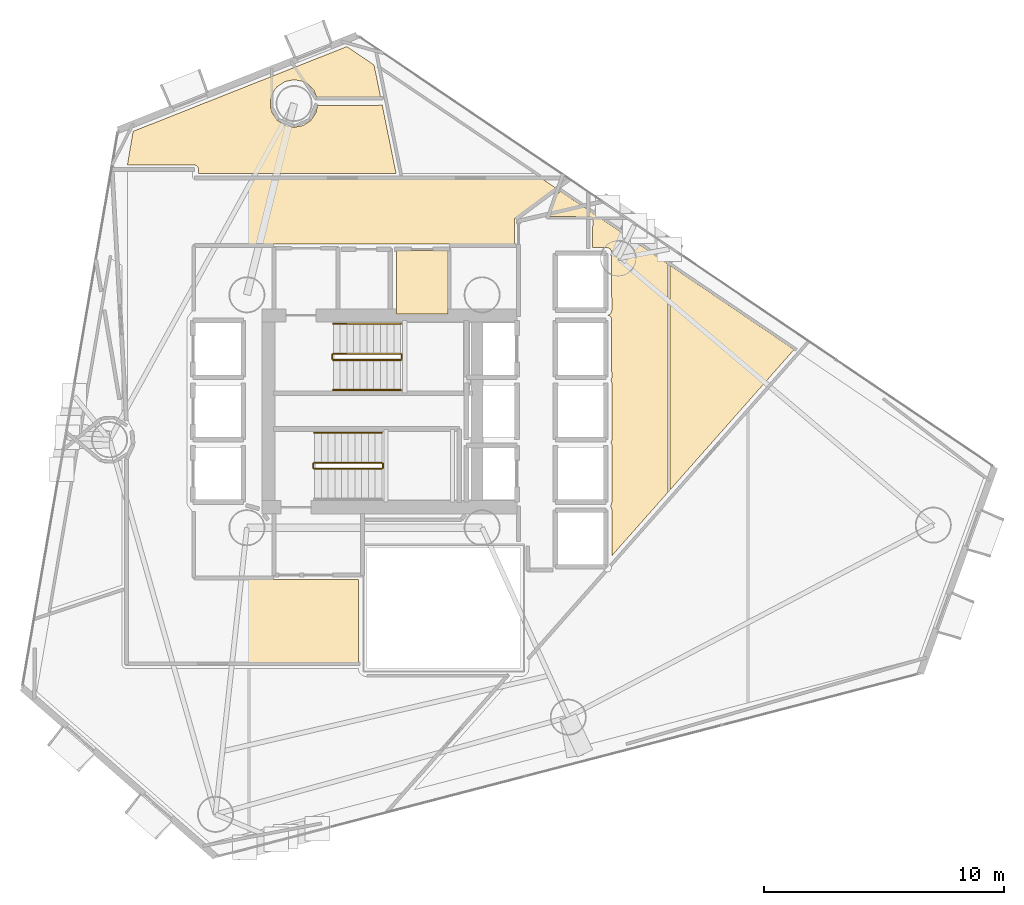
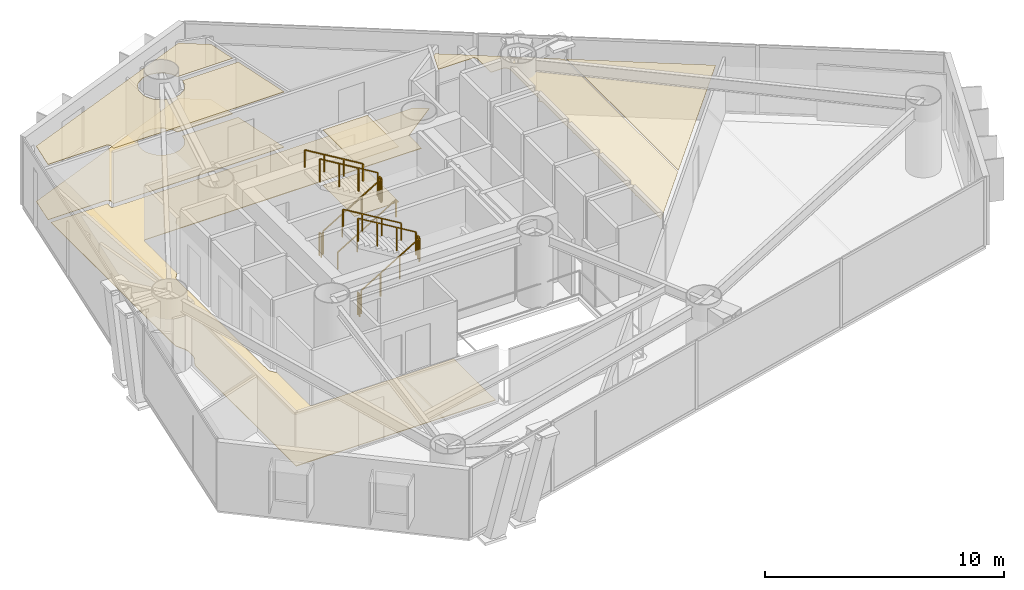
# One storey, part 20 of 21: 11 railings, 7 coverings.
"""IFC4 building model written with IfcOpenShell, lengths in metres."""

from ifc_helpers import new_model, si_unit, direction, frame, origin, origin_2d, place, context, subcontext, project, spatial, polyline, rectangle, outline, extrude, material, layer, layer_set, type_object, element, save


model = new_model("IFC4")

# Units and contexts
model_context = context("Model", 3, precision=1e-05, world=origin(), true_north=direction((0.0, 1.0)))
body_context = subcontext(model_context, "Body", "Model", "MODEL_VIEW")
ifc_project = project(units=[si_unit("LENGTHUNIT", "METRE"), si_unit("AREAUNIT", "SQUARE_METRE"), si_unit("VOLUMEUNIT", "CUBIC_METRE"), si_unit("PLANEANGLEUNIT", "RADIAN"), si_unit("MASSUNIT", "GRAM", prefix="KILO")], contexts=[model_context])

# Site, building, storey
site_placement = place(None, origin())
site = spatial("IfcSite", under=ifc_project, at=site_placement, CompositionType="ELEMENT")
building_placement = place(site_placement, origin())
building = spatial("IfcBuilding", under=site, at=building_placement, Name="Qianvela Tower", CompositionType="ELEMENT")
storey_placement = place(building_placement, frame((0.0, 0.0, 112.60009765625)))
storey = spatial("IfcBuildingStorey", under=building, at=storey_placement, Name="L28", CompositionType="ELEMENT", Elevation=112.60009765625)

# Coverings
ifc_material_1 = material(Name="Perforated Mineral Acoustic Ceiling Tile")
ifc_layer_1 = layer(ifc_material_1, 0.02490234375)
ifc_layer_set_1 = layer_set([ifc_layer_1], Name="Perforated Mineral Acoustic Ceiling Tile")
covering_type_1 = type_object("IfcCoveringType", Name="COV-CEIL-ACOUSTIC-25", PredefinedType="CEILING", material=ifc_layer_set_1)
covering_1_placement = place(storey_placement, frame((0.0, 0.0, 2.81494140625)))
element("IfcCovering", 1, at=covering_1_placement, inside=storey, type_object=covering_type_1, Name="L28 Acoustic Ceiling L28 Core Tea Pantry", PredefinedType="CEILING", context=body_context, shape_type="SweptSolid", body=[
    extrude(outline(polyline([(36.969970703125, 32.760009765625), (34.830078125, 32.760009765625), (34.830078125, 35.39990234375), (36.969970703125, 35.39990234375), (36.969970703125, 32.760009765625)])), origin(), (0.0, 0.0, 1.0), 0.02490234375),
])
covering_2_placement = place(storey_placement, frame((0.0, 0.0, 2.81494140625)))
element("IfcCovering", 2, at=covering_2_placement, inside=storey, type_object=covering_type_1, Name="L28 Acoustic Ceiling Bay 1 Academic Cellular Office L28-01C", PredefinedType="CEILING", context=body_context, shape_type="SweptSolid", body=[
    extrude(outline(polyline([(43.722412109375, 32.739013671875), (43.729248046875, 32.74267578125), (43.73583984375, 32.746826171875), (43.741943359375, 32.751953125), (43.74755859375, 32.757568359375), (43.75244140625, 32.763427734375), (43.7568359375, 32.77001953125), (43.760498046875, 32.777099609375), (43.763427734375, 32.7841796875), (43.79541015625, 32.873046875), (43.79736328125, 32.879638671875), (43.798828125, 32.886474609375), (43.7998046875, 32.893310546875), (43.800048828125, 32.900146484375), (43.79736328125, 35.327392578125), (43.796875, 35.3359375), (43.79541015625, 35.344482421875), (43.793212890625, 35.352783203125), (43.7900390625, 35.36083984375), (43.785888671875, 35.368408203125), (43.7373046875, 35.44921875), (43.732666015625, 35.456298828125), (43.727294921875, 35.462890625), (43.72119140625, 35.46875), (43.71435546875, 35.47412109375), (43.70703125, 35.478515625), (43.699462890625, 35.482177734375), (43.624267578125, 35.51318359375), (43.616943359375, 35.515869140625), (43.609375, 35.517822265625), (43.6015625, 35.518798828125), (43.59375, 35.519287109375), (43.0, 35.52001953125), (43.010009765625, 36.6494140625), (43.009765625, 36.656494140625), (43.0087890625, 36.663818359375), (43.007080078125, 36.6708984375), (43.0048828125, 36.677978515625), (43.002197265625, 36.684814453125), (42.99853515625, 36.691162109375), (42.956298828125, 36.76171875), (42.951904296875, 36.7685546875), (42.946533203125, 36.77490234375), (42.940673828125, 36.780517578125), (42.93408203125, 36.78564453125), (42.92724609375, 36.7900390625), (42.919921875, 36.793701171875), (42.912353515625, 36.796630859375), (42.904296875, 36.798828125), (42.896240234375, 36.800048828125), (42.88818359375, 36.800537109375), (41.205078125, 36.809326171875), (41.534912109375, 37.75537109375), (41.67041015625, 37.860107421875), (46.150634765625, 34.825439453125), (46.150634765625, 25.337646484375), (43.799560546875, 22.67724609375), (43.800048828125, 24.60009765625), (43.7998046875, 24.606689453125), (43.798828125, 24.61376953125), (43.79736328125, 24.620361328125), (43.79541015625, 24.626953125), (43.763427734375, 24.7158203125), (43.760498046875, 24.722900390625), (43.7568359375, 24.72998046875), (43.75244140625, 24.736572265625), (43.74755859375, 24.742431640625), (43.741943359375, 24.748046875), (43.73974609375, 24.75), (43.73974609375, 24.75), (43.74609375, 24.755859375), (43.75146484375, 24.76220703125), (43.75634765625, 24.76904296875), (43.76025390625, 24.776611328125), (43.763427734375, 24.7841796875), (43.79541015625, 24.873046875), (43.79736328125, 24.879638671875), (43.798828125, 24.88623046875), (43.7998046875, 24.89306640625), (43.800048828125, 24.89990234375), (43.800048828125, 27.300048828125), (43.799560546875, 27.30810546875), (43.79833984375, 27.31591796875), (43.79638671875, 27.323486328125), (43.793701171875, 27.3310546875), (43.7646484375, 27.39990234375), (43.793701171875, 27.468994140625), (43.79638671875, 27.476318359375), (43.79833984375, 27.484130859375), (43.799560546875, 27.491943359375), (43.800048828125, 27.5), (43.800048828125, 29.89990234375), (43.799560546875, 29.907958984375), (43.79833984375, 29.915771484375), (43.79638671875, 29.923583984375), (43.793701171875, 29.93115234375), (43.7646484375, 30.0), (43.793701171875, 30.06884765625), (43.79638671875, 30.076416015625), (43.79833984375, 30.084228515625), (43.799560546875, 30.09228515625), (43.800048828125, 30.10009765625), (43.7939453125, 32.540771484375), (43.793701171875, 32.548583984375), (43.79248046875, 32.556396484375), (43.79052734375, 32.56396484375), (43.787841796875, 32.5712890625), (43.784423828125, 32.578369140625), (43.780517578125, 32.585205078125), (43.7353515625, 32.652587890625), (43.73095703125, 32.658447265625), (43.726318359375, 32.6640625), (43.720947265625, 32.6689453125), (43.715087890625, 32.673583984375), (43.708984375, 32.677490234375), (43.702392578125, 32.680908203125), (43.69580078125, 32.68359375), (43.644287109375, 32.701904296875), (43.722412109375, 32.739013671875)])), origin(), (0.0, 0.0, 1.0), 0.02490234375),
])
covering_3_placement = place(storey_placement, frame((0.0, 0.0, 2.81494140625)))
element("IfcCovering", 3, at=covering_3_placement, inside=storey, type_object=covering_type_1, Name="L28 Acoustic Ceiling Bay 2 Academic Cellular Office L28-01C", PredefinedType="CEILING", context=body_context, shape_type="SweptSolid", body=[
    extrude(outline(polyline([(51.395751953125, 31.2724609375), (46.230712890625, 25.42822265625), (46.230712890625, 34.771240234375), (51.395751953125, 31.2724609375)])), origin(), (0.0, 0.0, 1.0), 0.02490234375),
])
covering_4_placement = place(storey_placement, frame((0.0, 0.0, 2.81494140625)))
element("IfcCovering", 4, at=covering_4_placement, inside=storey, type_object=covering_type_1, Name="L28 Acoustic Ceiling Academic Cellular Office L28-03", PredefinedType="CEILING", context=body_context, shape_type="SweptSolid", body=[
    extrude(outline(polyline([(26.57958984375, 38.610107421875), (26.57861328125, 38.81591796875), (26.577880859375, 38.82421875), (26.57666015625, 38.83251953125), (26.574462890625, 38.840576171875), (26.571533203125, 38.84814453125), (26.567626953125, 38.855712890625), (26.563232421875, 38.862548828125), (26.55810546875, 38.868896484375), (26.55224609375, 38.875), (26.481689453125, 38.93896484375), (26.475830078125, 38.943603515625), (26.4697265625, 38.94775390625), (26.46337890625, 38.951416015625), (26.45654296875, 38.954345703125), (26.44970703125, 38.95654296875), (26.4423828125, 38.958251953125), (26.43505859375, 38.959228515625), (26.427734375, 38.959716796875), (23.6201171875, 38.9560546875), (23.86181640625, 40.3623046875), (32.765625, 43.89208984375), (33.8984375, 43.124755859375), (34.169677734375, 41.788818359375), (31.5087890625, 41.781982421875), (31.39453125, 42.057373046875), (31.39111328125, 42.064208984375), (31.38720703125, 42.071044921875), (31.382568359375, 42.077392578125), (31.377197265625, 42.0830078125), (31.126220703125, 42.334228515625), (31.120361328125, 42.339599609375), (31.114013671875, 42.34423828125), (31.107421875, 42.34814453125), (30.949951171875, 42.432373046875), (30.94287109375, 42.435546875), (30.935546875, 42.438232421875), (30.927734375, 42.440185546875), (30.57958984375, 42.509521484375), (30.57177734375, 42.510498046875), (30.56396484375, 42.510986328125), (30.55615234375, 42.510498046875), (30.54833984375, 42.509521484375), (30.2001953125, 42.440185546875), (30.1923828125, 42.438232421875), (30.18505859375, 42.435546875), (30.177978515625, 42.432373046875), (30.17138671875, 42.42822265625), (29.876220703125, 42.23095703125), (29.869873046875, 42.226318359375), (29.864013671875, 42.220947265625), (29.858642578125, 42.215087890625), (29.74560546875, 42.077392578125), (29.74072265625, 42.071044921875), (29.73681640625, 42.064208984375), (29.7333984375, 42.05712890625), (29.59765625, 41.72900390625), (29.594970703125, 41.7216796875), (29.593017578125, 41.714111328125), (29.591796875, 41.706298828125), (29.591552734375, 41.698486328125), (29.591552734375, 41.343505859375), (29.591796875, 41.335693359375), (29.593017578125, 41.327880859375), (29.594970703125, 41.3203125), (29.646728515625, 41.1494140625), (29.6494140625, 41.14208984375), (29.652587890625, 41.135009765625), (29.65673828125, 41.12841796875), (29.85400390625, 40.8330078125), (29.858642578125, 40.826904296875), (29.864013671875, 40.821044921875), (29.869873046875, 40.815673828125), (29.876220703125, 40.81103515625), (30.17138671875, 40.61376953125), (30.177978515625, 40.609619140625), (30.18505859375, 40.6064453125), (30.1923828125, 40.603759765625), (30.2001953125, 40.601806640625), (30.54833984375, 40.532470703125), (30.55615234375, 40.531494140625), (30.56396484375, 40.531005859375), (30.57177734375, 40.531494140625), (30.57958984375, 40.532470703125), (30.927734375, 40.601806640625), (30.935546875, 40.603759765625), (30.94287109375, 40.6064453125), (30.949951171875, 40.609619140625), (30.956787109375, 40.61376953125), (31.251953125, 40.81103515625), (31.25830078125, 40.815673828125), (31.263916015625, 40.821044921875), (31.269287109375, 40.826904296875), (31.27392578125, 40.8330078125), (31.47119140625, 41.12841796875), (31.475341796875, 41.135009765625), (31.478759765625, 41.14208984375), (31.481201171875, 41.149658203125), (31.483154296875, 41.1572265625), (31.53955078125, 41.442138671875), (34.23876953125, 41.448974609375), (34.815185546875, 38.610107421875), (26.57958984375, 38.610107421875)])), origin(), (0.0, 0.0, 1.0), 0.02490234375),
])
ifc_material_2 = material(Name="Engineered Acoustic Oak Timber Flooring", Category="wood")
ifc_layer_2 = layer(ifc_material_2, 0.02001953125)
ifc_layer_set_2 = layer_set([ifc_layer_2], Name="Engineered Acoustic Oak Timber Flooring")
covering_type_2 = type_object("IfcCoveringType", Name="COV-FLOOR-OAK-20", PredefinedType="FLOORING", material=ifc_layer_set_2)
covering_5_placement = place(storey_placement, origin())
element("IfcCovering", 5, at=covering_5_placement, inside=storey, type_object=covering_type_2, Name="L28 Finish Flooring L28 Core Tea Pantry", PredefinedType="FLOORING", context=body_context, shape_type="SweptSolid", body=[
    extrude(outline(polyline([(36.969970703125, 32.760009765625), (34.830078125, 32.760009765625), (34.830078125, 35.39990234375), (36.969970703125, 35.39990234375), (36.969970703125, 32.760009765625)])), origin(), (0.0, 0.0, 1.0), 0.02001953125),
])
covering_6_placement = place(storey_placement, origin())
element("IfcCovering", 6, at=covering_6_placement, inside=storey, type_object=covering_type_2, Name="L28 Finish Flooring Academic Cellular Office L28-03", PredefinedType="FLOORING", context=body_context, shape_type="SweptSolid", body=[
    extrude(outline(polyline([(26.57958984375, 38.610107421875), (26.57861328125, 38.81591796875), (26.577880859375, 38.82421875), (26.57666015625, 38.83251953125), (26.574462890625, 38.840576171875), (26.571533203125, 38.84814453125), (26.567626953125, 38.855712890625), (26.563232421875, 38.862548828125), (26.55810546875, 38.868896484375), (26.55224609375, 38.875), (26.481689453125, 38.93896484375), (26.475830078125, 38.943603515625), (26.4697265625, 38.94775390625), (26.46337890625, 38.951416015625), (26.45654296875, 38.954345703125), (26.44970703125, 38.95654296875), (26.4423828125, 38.958251953125), (26.43505859375, 38.959228515625), (26.427734375, 38.959716796875), (23.6201171875, 38.9560546875), (23.86181640625, 40.3623046875), (32.765625, 43.89208984375), (33.8984375, 43.124755859375), (34.169677734375, 41.788818359375), (31.5087890625, 41.781982421875), (31.39453125, 42.057373046875), (31.39111328125, 42.064208984375), (31.38720703125, 42.071044921875), (31.382568359375, 42.077392578125), (31.377197265625, 42.0830078125), (31.126220703125, 42.334228515625), (31.120361328125, 42.339599609375), (31.114013671875, 42.34423828125), (31.107421875, 42.34814453125), (30.949951171875, 42.432373046875), (30.94287109375, 42.435546875), (30.935546875, 42.438232421875), (30.927734375, 42.440185546875), (30.57958984375, 42.509521484375), (30.57177734375, 42.510498046875), (30.56396484375, 42.510986328125), (30.55615234375, 42.510498046875), (30.54833984375, 42.509521484375), (30.2001953125, 42.440185546875), (30.1923828125, 42.438232421875), (30.18505859375, 42.435546875), (30.177978515625, 42.432373046875), (30.17138671875, 42.42822265625), (29.876220703125, 42.23095703125), (29.869873046875, 42.226318359375), (29.864013671875, 42.220947265625), (29.858642578125, 42.215087890625), (29.74560546875, 42.077392578125), (29.74072265625, 42.071044921875), (29.73681640625, 42.064208984375), (29.7333984375, 42.05712890625), (29.59765625, 41.72900390625), (29.594970703125, 41.7216796875), (29.593017578125, 41.714111328125), (29.591796875, 41.706298828125), (29.591552734375, 41.698486328125), (29.591552734375, 41.343505859375), (29.591796875, 41.335693359375), (29.593017578125, 41.327880859375), (29.594970703125, 41.3203125), (29.646728515625, 41.1494140625), (29.6494140625, 41.14208984375), (29.652587890625, 41.135009765625), (29.65673828125, 41.12841796875), (29.85400390625, 40.8330078125), (29.858642578125, 40.826904296875), (29.864013671875, 40.821044921875), (29.869873046875, 40.815673828125), (29.876220703125, 40.81103515625), (30.17138671875, 40.61376953125), (30.177978515625, 40.609619140625), (30.18505859375, 40.6064453125), (30.1923828125, 40.603759765625), (30.2001953125, 40.601806640625), (30.54833984375, 40.532470703125), (30.55615234375, 40.531494140625), (30.56396484375, 40.531005859375), (30.57177734375, 40.531494140625), (30.57958984375, 40.532470703125), (30.927734375, 40.601806640625), (30.935546875, 40.603759765625), (30.94287109375, 40.6064453125), (30.949951171875, 40.609619140625), (30.956787109375, 40.61376953125), (31.251953125, 40.81103515625), (31.25830078125, 40.815673828125), (31.263916015625, 40.821044921875), (31.269287109375, 40.826904296875), (31.27392578125, 40.8330078125), (31.47119140625, 41.12841796875), (31.475341796875, 41.135009765625), (31.478759765625, 41.14208984375), (31.481201171875, 41.149658203125), (31.483154296875, 41.1572265625), (31.53955078125, 41.442138671875), (34.23876953125, 41.448974609375), (34.815185546875, 38.610107421875), (26.57958984375, 38.610107421875)])), origin(), (0.0, 0.0, 1.0), 0.02001953125),
])
ifc_material_3 = material(Name="Honed Stone Terrazzo Flooring", Category="masonry")
ifc_layer_3 = layer(ifc_material_3, 0.030029296875)
ifc_layer_set_3 = layer_set([ifc_layer_3], Name="Honed Stone Terrazzo Flooring")
covering_type_3 = type_object("IfcCoveringType", Name="COV-FLOOR-TERRAZZO-30", PredefinedType="FLOORING", material=ifc_layer_set_3)
covering_7_placement = place(storey_placement, origin())
element("IfcCovering", 7, at=covering_7_placement, inside=storey, type_object=covering_type_3, Name="L28 Finish Flooring L28 Floor Corridor", PredefinedType="FLOORING", context=body_context, shape_type="SweptSolid", body=[
    extrude(outline(polyline([(23.8505859375, 27.910400390625), (23.84814453125, 27.917724609375), (23.8447265625, 27.9248046875), (23.6298828125, 28.32666015625), (23.6298828125, 38.719970703125), (26.340087890625, 38.719970703125), (26.340087890625, 38.449951171875), (26.34033203125, 38.442138671875), (26.341552734375, 38.434326171875), (26.343505859375, 38.4267578125), (26.34619140625, 38.41943359375), (26.349365234375, 38.412353515625), (26.353515625, 38.405517578125), (26.358154296875, 38.399169921875), (26.36328125, 38.393310546875), (26.369140625, 38.38818359375), (26.37548828125, 38.383544921875), (26.38232421875, 38.37939453125), (26.389404296875, 38.376220703125), (26.396728515625, 38.373291015625), (26.404296875, 38.37158203125), (26.412109375, 38.370361328125), (26.419921875, 38.3701171875), (40.91796875, 38.3701171875), (41.463134765625, 38.00048828125), (39.78076171875, 36.74853515625), (39.7744140625, 36.743408203125), (39.7685546875, 36.737548828125), (39.763427734375, 36.731201171875), (39.759033203125, 36.724365234375), (39.75537109375, 36.717041015625), (39.75244140625, 36.70947265625), (39.750244140625, 36.701416015625), (39.748779296875, 36.693359375), (39.74853515625, 36.685302734375), (39.73876953125, 35.659912109375), (26.419921875, 35.659912109375), (26.412109375, 35.65966796875), (26.404296875, 35.658447265625), (26.396728515625, 35.656494140625), (26.389404296875, 35.65380859375), (26.38232421875, 35.650634765625), (26.37548828125, 35.646484375), (26.369140625, 35.641845703125), (26.36328125, 35.63671875), (26.358154296875, 35.630859375), (26.353515625, 35.62451171875), (26.349365234375, 35.61767578125), (26.34619140625, 35.610595703125), (26.343505859375, 35.603271484375), (26.341552734375, 35.595703125), (26.34033203125, 35.587890625), (26.340087890625, 35.580078125), (26.340087890625, 32.89599609375), (26.139404296875, 32.62548828125), (26.135498046875, 32.61962890625), (26.132080078125, 32.61376953125), (26.12939453125, 32.607421875), (26.126953125, 32.60107421875), (26.103515625, 32.523193359375), (26.1015625, 32.515625), (26.100341796875, 32.5078125), (26.10009765625, 32.5), (26.10009765625, 24.89990234375), (26.100341796875, 24.89208984375), (26.1015625, 24.884521484375), (26.103515625, 24.876708984375), (26.126953125, 24.799072265625), (26.12939453125, 24.79248046875), (26.132080078125, 24.786376953125), (26.135498046875, 24.7802734375), (26.139404296875, 24.774658203125), (26.340087890625, 24.50390625), (26.340087890625, 21.780029296875), (26.34033203125, 21.772216796875), (26.341552734375, 21.764404296875), (26.343505859375, 21.7568359375), (26.34619140625, 21.74951171875), (26.349365234375, 21.7421875), (26.353515625, 21.735595703125), (26.358154296875, 21.729248046875), (26.36328125, 21.723388671875), (26.369140625, 21.71826171875), (26.37548828125, 21.71337890625), (26.38232421875, 21.70947265625), (26.389404296875, 21.7060546875), (26.396728515625, 21.703369140625), (26.404296875, 21.701416015625), (26.412109375, 21.700439453125), (26.419921875, 21.699951171875), (33.239990234375, 21.699951171875), (33.239990234375, 18.22998046875), (23.6298828125, 18.22998046875), (23.6298828125, 26.705322265625), (23.8447265625, 27.107177734375), (23.84814453125, 27.1142578125), (23.8505859375, 27.12158203125), (23.906005859375, 27.303466796875), (23.90771484375, 27.311279296875), (23.908935546875, 27.31884765625), (23.909423828125, 27.326904296875), (23.909423828125, 27.705078125), (23.908935546875, 27.713134765625), (23.90771484375, 27.720703125), (23.906005859375, 27.728515625), (23.8505859375, 27.910400390625)])), origin(), (0.0, 0.0, 1.0), 0.02978515625),
])

# Railings
ifc_material_4 = material(Name="Painted Tubular Steel Q355B", Category="steel")
railing_type_1 = type_object("IfcRailingType", Name="RL-STAIR-GUARD-1200", PredefinedType="GUARDRAIL", material=ifc_material_4)
railing_1_placement = place(storey_placement, frame((32.199951171875, 30.840087890625, 0.16796875)))
element("IfcRailing", 8, at=railing_1_placement, inside=storey, type_object=railing_type_1, Name="L28 ST-1 stair guard 1", PredefinedType="GUARDRAIL", context=body_context, shape_type="SweptSolid", body=[
    extrude(rectangle(XDim=0.050048828125, YDim=0.0400390625, at=origin_2d()), frame((0.0, 0.0, 1.179931640625), z_axis=(0.857242210791, 0.0, 0.514913383045), x_axis=(0.0, 1.0, 0.0)), (0.0, 0.0, 1.0), 3.266357421875),
    extrude(rectangle(XDim=0.050048828125, YDim=0.050048828125, at=origin_2d()), origin(), (0.0, 0.0, 1.0), 1.159912109375),
    extrude(rectangle(XDim=0.050048828125, YDim=0.050048828125, at=origin_2d()), frame((0.933349609375, 0.0, 0.560546875)), (0.0, 0.0, 1.0), 1.159912109375),
    extrude(rectangle(XDim=0.050048828125, YDim=0.050048828125, at=origin_2d()), frame((1.86669921875, 0.0, 1.121337890625)), (0.0, 0.0, 1.0), 1.159912109375),
    extrude(rectangle(XDim=0.050048828125, YDim=0.050048828125, at=origin_2d()), frame((2.800048828125, 0.0, 1.681884765625)), (0.0, 0.0, 1.0), 1.159912109375),
])
railing_2_placement = place(storey_placement, frame((35.050048828125, 30.889892578125, 1.849853515625)))
element("IfcRailing", 9, at=railing_2_placement, inside=storey, type_object=railing_type_1, Name="L28 ST-1 stair guard 2", PredefinedType="GUARDRAIL", context=body_context, shape_type="SweptSolid", body=[
    extrude(rectangle(XDim=0.050048828125, YDim=0.0400390625, at=origin_2d()), frame((0.0, 0.0, 1.179931640625), z_axis=(0.0, 1.0, 0.0), x_axis=(-1.0, 0.0, 0.0)), (0.0, 0.0, 1.0), 0.16015625),
    extrude(rectangle(XDim=0.050048828125, YDim=0.050048828125, at=origin_2d()), origin(), (0.0, 0.0, 1.0), 1.159912109375),
    extrude(rectangle(XDim=0.050048828125, YDim=0.050048828125, at=origin_2d()), frame((0.0, 0.16015625, 0.0)), (0.0, 0.0, 1.0), 1.159912109375),
])
railing_3_placement = place(storey_placement, frame((35.0, 31.10009765625, 2.01806640625)))
element("IfcRailing", 10, at=railing_3_placement, inside=storey, type_object=railing_type_1, Name="L28 ST-1 stair guard 3", PredefinedType="GUARDRAIL", context=body_context, shape_type="SweptSolid", body=[
    extrude(rectangle(XDim=0.050048828125, YDim=0.0400390625, at=origin_2d()), frame((0.0, 0.0, 1.179931640625), z_axis=(-0.857242210791, 0.0, 0.514913383045), x_axis=(0.0, -1.0, 0.0)), (0.0, 0.0, 1.0), 3.266357421875),
    extrude(rectangle(XDim=0.050048828125, YDim=0.050048828125, at=origin_2d()), origin(), (0.0, 0.0, 1.0), 1.159912109375),
    extrude(rectangle(XDim=0.050048828125, YDim=0.050048828125, at=origin_2d()), frame((-0.933349609375, 0.0, 0.560546875)), (0.0, 0.0, 1.0), 1.159912109375),
    extrude(rectangle(XDim=0.050048828125, YDim=0.050048828125, at=origin_2d()), frame((-1.86669921875, 0.0, 1.121337890625)), (0.0, 0.0, 1.0), 1.159912109375),
    extrude(rectangle(XDim=0.050048828125, YDim=0.050048828125, at=origin_2d()), frame((-2.800048828125, 0.0, 1.681884765625)), (0.0, 0.0, 1.0), 1.159912109375),
])
railing_4_placement = place(storey_placement, frame((32.14990234375, 30.889892578125, 0.0)))
element("IfcRailing", 11, at=railing_4_placement, inside=storey, type_object=railing_type_1, Name="L28 ST-1 stair guard 4", PredefinedType="GUARDRAIL", context=body_context, shape_type="SweptSolid", body=[
    extrude(rectangle(XDim=0.050048828125, YDim=0.0400390625, at=origin_2d()), frame((0.0, 0.0, 1.179931640625), z_axis=(0.0, 1.0, 0.0), x_axis=(-1.0, 0.0, 0.0)), (0.0, 0.0, 1.0), 0.16015625),
    extrude(rectangle(XDim=0.050048828125, YDim=0.050048828125, at=origin_2d()), origin(), (0.0, 0.0, 1.0), 1.159912109375),
    extrude(rectangle(XDim=0.050048828125, YDim=0.050048828125, at=origin_2d()), frame((0.0, 0.16015625, 0.0)), (0.0, 0.0, 1.0), 1.159912109375),
])
railing_5_placement = place(storey_placement, frame((31.419921875, 26.300048828125, 0.16796875)))
element("IfcRailing", 12, at=railing_5_placement, inside=storey, type_object=railing_type_1, Name="L28 ST-2 stair guard 1", PredefinedType="GUARDRAIL", context=body_context, shape_type="SweptSolid", body=[
    extrude(rectangle(XDim=0.050048828125, YDim=0.0400390625, at=origin_2d()), frame((0.0, 0.0, 1.179931640625), z_axis=(0.857242210791, 0.0, 0.514913383045), x_axis=(0.0, 1.0, 0.0)), (0.0, 0.0, 1.0), 3.266357421875),
    extrude(rectangle(XDim=0.050048828125, YDim=0.050048828125, at=origin_2d()), origin(), (0.0, 0.0, 1.0), 1.159912109375),
    extrude(rectangle(XDim=0.050048828125, YDim=0.050048828125, at=origin_2d()), frame((0.933349609375, 0.0, 0.560546875)), (0.0, 0.0, 1.0), 1.159912109375),
    extrude(rectangle(XDim=0.050048828125, YDim=0.050048828125, at=origin_2d()), frame((1.86669921875, 0.0, 1.121337890625)), (0.0, 0.0, 1.0), 1.159912109375),
    extrude(rectangle(XDim=0.050048828125, YDim=0.050048828125, at=origin_2d()), frame((2.800048828125, 0.0, 1.681884765625)), (0.0, 0.0, 1.0), 1.159912109375),
])
railing_6_placement = place(storey_placement, frame((34.27001953125, 26.35009765625, 1.849853515625)))
element("IfcRailing", 13, at=railing_6_placement, inside=storey, type_object=railing_type_1, Name="L28 ST-2 stair guard 2", PredefinedType="GUARDRAIL", context=body_context, shape_type="SweptSolid", body=[
    extrude(rectangle(XDim=0.050048828125, YDim=0.0400390625, at=origin_2d()), frame((0.0, 0.0, 1.179931640625), z_axis=(0.0, 1.0, 0.0), x_axis=(-1.0, 0.0, 0.0)), (0.0, 0.0, 1.0), 0.159912109375),
    extrude(rectangle(XDim=0.050048828125, YDim=0.050048828125, at=origin_2d()), origin(), (0.0, 0.0, 1.0), 1.159912109375),
    extrude(rectangle(XDim=0.050048828125, YDim=0.050048828125, at=origin_2d()), frame((0.0, 0.159912109375, 0.0)), (0.0, 0.0, 1.0), 1.159912109375),
])
railing_7_placement = place(storey_placement, frame((34.219970703125, 26.56005859375, 2.01806640625)))
element("IfcRailing", 14, at=railing_7_placement, inside=storey, type_object=railing_type_1, Name="L28 ST-2 stair guard 3", PredefinedType="GUARDRAIL", context=body_context, shape_type="SweptSolid", body=[
    extrude(rectangle(XDim=0.050048828125, YDim=0.0400390625, at=origin_2d()), frame((0.0, 0.0, 1.179931640625), z_axis=(-0.857242210791, 0.0, 0.514913383045), x_axis=(0.0, -1.0, 0.0)), (0.0, 0.0, 1.0), 3.266357421875),
    extrude(rectangle(XDim=0.050048828125, YDim=0.050048828125, at=origin_2d()), origin(), (0.0, 0.0, 1.0), 1.159912109375),
    extrude(rectangle(XDim=0.050048828125, YDim=0.050048828125, at=origin_2d()), frame((-0.933349609375, 0.0, 0.560546875)), (0.0, 0.0, 1.0), 1.159912109375),
    extrude(rectangle(XDim=0.050048828125, YDim=0.050048828125, at=origin_2d()), frame((-1.86669921875, 0.0, 1.121337890625)), (0.0, 0.0, 1.0), 1.159912109375),
    extrude(rectangle(XDim=0.050048828125, YDim=0.050048828125, at=origin_2d()), frame((-2.800048828125, 0.0, 1.681884765625)), (0.0, 0.0, 1.0), 1.159912109375),
])
railing_8_placement = place(storey_placement, frame((31.3701171875, 26.35009765625, 0.0)))
element("IfcRailing", 15, at=railing_8_placement, inside=storey, type_object=railing_type_1, Name="L28 ST-2 stair guard 4", PredefinedType="GUARDRAIL", context=body_context, shape_type="SweptSolid", body=[
    extrude(rectangle(XDim=0.050048828125, YDim=0.0400390625, at=origin_2d()), frame((0.0, 0.0, 1.179931640625), z_axis=(0.0, 1.0, 0.0), x_axis=(-1.0, 0.0, 0.0)), (0.0, 0.0, 1.0), 0.159912109375),
    extrude(rectangle(XDim=0.050048828125, YDim=0.050048828125, at=origin_2d()), origin(), (0.0, 0.0, 1.0), 1.159912109375),
    extrude(rectangle(XDim=0.050048828125, YDim=0.050048828125, at=origin_2d()), frame((0.0, 0.159912109375, 0.0)), (0.0, 0.0, 1.0), 1.159912109375),
])
ifc_material_5 = material(Name="Brushed Stainless Steel 304", Category="steel")
railing_type_2 = type_object("IfcRailingType", Name="RL-STAIR-HANDRAIL-900", PredefinedType="HANDRAIL", material=ifc_material_5)
railing_9_placement = place(storey_placement, frame((32.199951171875, 29.590087890625, 0.16796875)))
element("IfcRailing", 16, at=railing_9_placement, inside=storey, type_object=railing_type_2, Name="L28 ST-1 stair handrail 1", PredefinedType="HANDRAIL", context=body_context, shape_type="SweptSolid", body=[
    extrude(rectangle(XDim=0.050048828125, YDim=0.0400390625, at=origin_2d()), frame((0.0, 0.0, 0.8798828125), z_axis=(0.857242210791, 0.0, 0.514913383045), x_axis=(0.0, 1.0, 0.0)), (0.0, 0.0, 1.0), 3.266357421875),
    extrude(rectangle(XDim=0.050048828125, YDim=0.050048828125, at=origin_2d()), origin(), (0.0, 0.0, 1.0), 0.85986328125),
    extrude(rectangle(XDim=0.050048828125, YDim=0.050048828125, at=origin_2d()), frame((0.933349609375, 0.0, 0.560546875)), (0.0, 0.0, 1.0), 0.85986328125),
    extrude(rectangle(XDim=0.050048828125, YDim=0.050048828125, at=origin_2d()), frame((1.86669921875, 0.0, 1.121337890625)), (0.0, 0.0, 1.0), 0.85986328125),
    extrude(rectangle(XDim=0.050048828125, YDim=0.050048828125, at=origin_2d()), frame((2.800048828125, 0.0, 1.681884765625)), (0.0, 0.0, 1.0), 0.85986328125),
])
for number, where, name in (
    (17, (35.0, 32.35009765625, 2.01806640625), "L28 ST-1 stair handrail 2"),
    (18, (34.219970703125, 27.81005859375, 2.01806640625), "L28 ST-2 stair handrail 2"),
):
    element("IfcRailing", number, at=place(storey_placement, frame(where)), inside=storey, type_object=railing_type_2, Name=name, PredefinedType="HANDRAIL", context=body_context, shape_type="SweptSolid", body=[
        extrude(rectangle(XDim=0.050048828125, YDim=0.0400390625, at=origin_2d()), frame((0.0, 0.0, 0.8798828125), z_axis=(-0.857242210791, 0.0, 0.514913383045), x_axis=(0.0, -1.0, 0.0)), (0.0, 0.0, 1.0), 3.266357421875),
        extrude(rectangle(XDim=0.050048828125, YDim=0.050048828125, at=origin_2d()), origin(), (0.0, 0.0, 1.0), 0.85986328125),
        extrude(rectangle(XDim=0.050048828125, YDim=0.050048828125, at=origin_2d()), frame((-0.933349609375, 0.0, 0.560546875)), (0.0, 0.0, 1.0), 0.85986328125),
        extrude(rectangle(XDim=0.050048828125, YDim=0.050048828125, at=origin_2d()), frame((-1.86669921875, 0.0, 1.121337890625)), (0.0, 0.0, 1.0), 0.85986328125),
        extrude(rectangle(XDim=0.050048828125, YDim=0.050048828125, at=origin_2d()), frame((-2.800048828125, 0.0, 1.681884765625)), (0.0, 0.0, 1.0), 0.85986328125),
    ])

save(model, "model.ifc")
